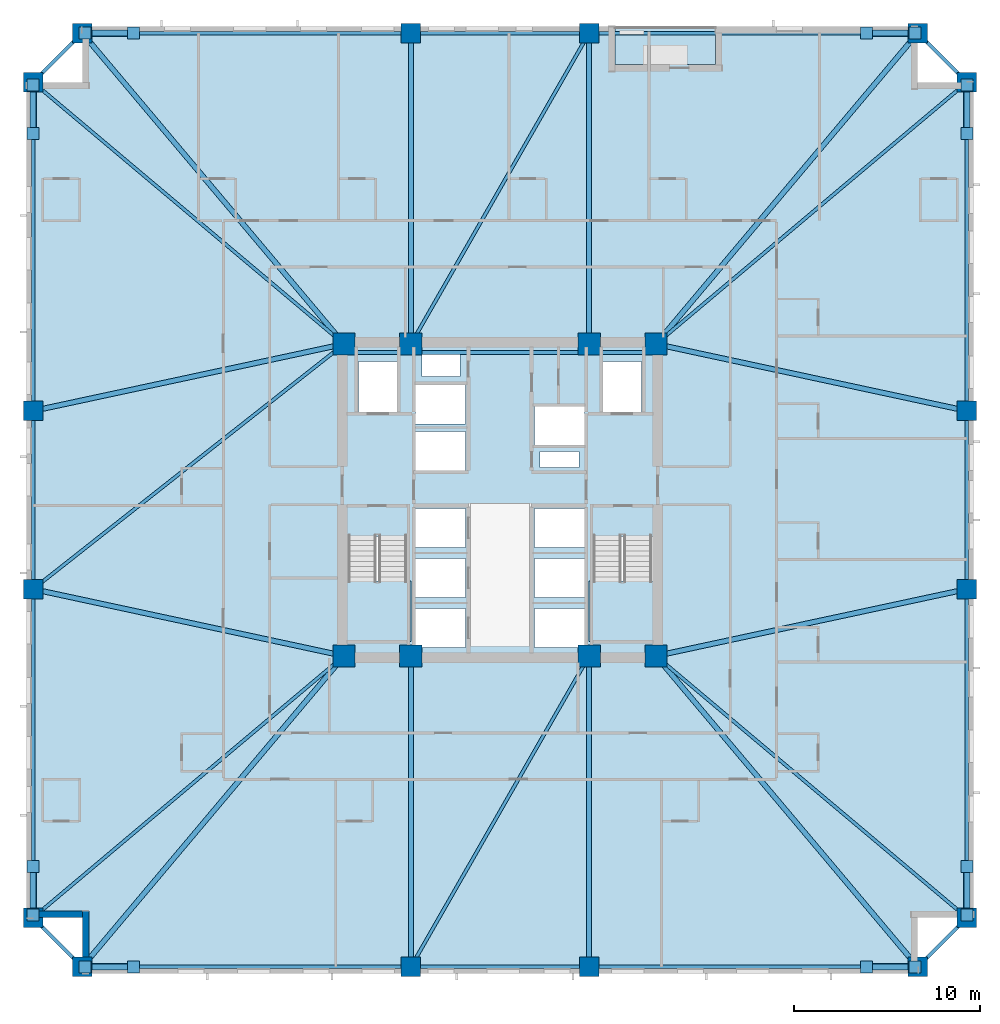
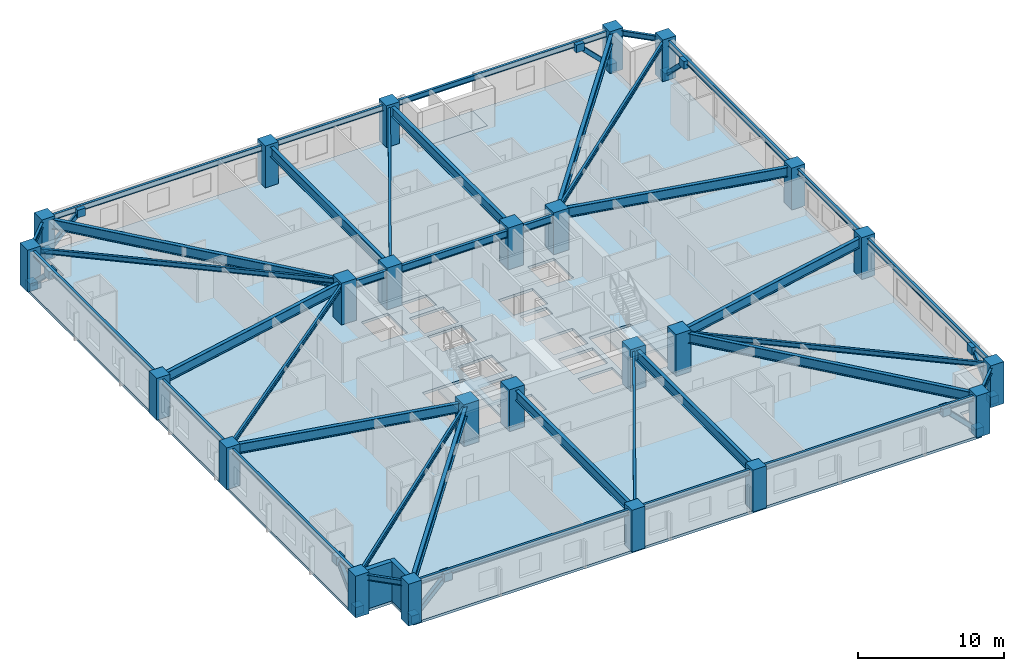
# One storey, part 1 of 12: 38 beams, 24 columns, 16 plates, 8 members, 4 slabs, 2 walls, 2 elements without a shape of their own.
"""IFC4 building model written with IfcOpenShell, lengths in metres."""

from ifc_helpers import new_model, si_unit, direction, frame, frame_2d, origin, origin_2d, place, context, subcontext, project, spatial, polyline, rectangle, hollow_rectangle, i_section, outline, extrude, material, layer, layer_set, material_profile, profile_set, type_object, element, aggregate, save


model = new_model("IFC4")

# Units and contexts
model_context = context("Model", 3, precision=1e-05, world=origin(), true_north=direction((0.0, 1.0)))
body_context = subcontext(model_context, "Body", "Model", "MODEL_VIEW")
ifc_project = project(units=[si_unit("LENGTHUNIT", "METRE"), si_unit("AREAUNIT", "SQUARE_METRE"), si_unit("VOLUMEUNIT", "CUBIC_METRE"), si_unit("PLANEANGLEUNIT", "RADIAN"), si_unit("MASSUNIT", "GRAM", prefix="KILO")], contexts=[model_context])

# Site, building, storey
site_placement = place(None, origin())
site = spatial("IfcSite", under=ifc_project, at=site_placement, CompositionType="ELEMENT")
building_placement = place(site_placement, origin())
building = spatial("IfcBuilding", under=site, at=building_placement, Name="Cairnveth Concourse Tower", CompositionType="ELEMENT")
storey_placement = place(building_placement, frame((0.0, 0.0, 90.0)))
storey = spatial("IfcBuildingStorey", under=building, at=storey_placement, Name="L24", CompositionType="ELEMENT", Elevation=90.0)

# Columns
ifc_material_1 = material(Name="Concrete N80 (80 MPa)", Category="concrete")
ifc_material_profile_1 = material_profile(ifc_material_1, rectangle(XDim=1.199951171875, YDim=1.199951171875, at=origin_2d()), Name="RC-COL-1200x1200")
ifc_profile_set_1 = profile_set([ifc_material_profile_1], Name="Concrete N80 (80 MPa)")
column_type_1 = type_object("IfcColumnType", Name="CORE COLUMN 1200X1200", PredefinedType="COLUMN", material=ifc_profile_set_1)
for number, where, z_axis, x_axis, name in (
    (1, (43.60009765625, 30.60009765625, 0.0), (0.0, 0.0, 1.0), (1.0, 0.0, 0.0), "Column CC1 L24"),
    (2, (47.199951171875, 30.60009765625, 0.0), (0.0, 0.0, 1.0), (1.0, 0.0, 0.0), "Column CC2 L24"),
    (3, (56.800048828125, 30.60009765625, 0.0), (0.0, 0.0, 1.0), (1.0, 0.0, 0.0), "Column CC3 L24"),
    (4, (60.39990234375, 30.60009765625, 0.0), (0.0, 0.0, 1.0), (1.0, 0.0, 0.0), "Column CC4 L24"),
    (5, (43.60009765625, 47.39990234375, 0.0), (0.0, 0.0, 1.0), (1.0, 0.0, 0.0), "Column CC5 L24"),
    (6, (47.199951171875, 47.39990234375, 0.0), (0.0, 0.0, 1.0), (1.0, 0.0, 0.0), "Column CC6 L24"),
    (7, (56.800048828125, 47.39990234375, 0.0), (0.0, 0.0, 1.0), (1.0, 0.0, 0.0), "Column CC7 L24"),
    (8, (60.39990234375, 47.39990234375, 0.0), (0.0, 0.0, 1.0), (1.0, 0.0, 0.0), "Column CC8 L24"),
):
    element("IfcColumn", number, at=place(storey_placement, frame(where, z_axis=z_axis, x_axis=x_axis)), inside=storey, type_object=column_type_1, Name=name, PredefinedType="COLUMN", context=body_context, shape_type="SweptSolid", body=[
        extrude(rectangle(XDim=1.199951171875, YDim=1.199951171875, at=origin_2d()), origin(), (0.0, 0.0, 1.0), 3.5),
    ])
ifc_material_2 = material(Name="Concrete N65 (65 MPa)", Category="concrete")
ifc_material_profile_2 = material_profile(ifc_material_2, rectangle(XDim=1.050048828125, YDim=1.050048828125, at=origin_2d()), Name="RC-COL-1050x1050")
ifc_profile_set_2 = profile_set([ifc_material_profile_2], Name="Concrete N65 (65 MPa)")
column_type_2 = type_object("IfcColumnType", Name="PERIMETER PIER COLUMN 1050X1050", PredefinedType="COLUMN", material=ifc_profile_set_2)
for number, where, z_axis, x_axis, name in (
    (9, (29.5, 13.85009765625, 0.0), (0.0, 0.0, 1.0), (1.0, 0.0, 0.0), "Column P-S1 L24"),
    (10, (47.199951171875, 13.85009765625, 0.0), (0.0, 0.0, 1.0), (1.0, 0.0, 0.0), "Column P-S2 L24"),
    (11, (56.800048828125, 13.85009765625, 0.0), (0.0, 0.0, 1.0), (1.0, 0.0, 0.0), "Column P-S3 L24"),
    (12, (74.5, 13.85009765625, 0.0), (0.0, 0.0, 1.0), (1.0, 0.0, 0.0), "Column P-S4 L24"),
    (13, (77.14990234375, 16.5, 0.0), (0.0, 0.0, 1.0), (0.0, 1.0, 0.0), "Column P-E1 L24"),
    (14, (77.14990234375, 34.199951171875, 0.0), (0.0, 0.0, 1.0), (0.0, 1.0, 0.0), "Column P-E2 L24"),
    (15, (77.14990234375, 43.800048828125, 0.0), (0.0, 0.0, 1.0), (0.0, 1.0, 0.0), "Column P-E3 L24"),
    (16, (77.14990234375, 61.5, 0.0), (0.0, 0.0, 1.0), (0.0, 1.0, 0.0), "Column P-E4 L24"),
    (17, (74.5, 64.14990234375, 0.0), (0.0, 0.0, 1.0), (1.0, 0.0, 0.0), "Column P-N1 L24"),
    (18, (56.800048828125, 64.14990234375, 0.0), (0.0, 0.0, 1.0), (1.0, 0.0, 0.0), "Column P-N2 L24"),
    (19, (47.199951171875, 64.14990234375, 0.0), (0.0, 0.0, 1.0), (1.0, 0.0, 0.0), "Column P-N3 L24"),
    (20, (29.5, 64.14990234375, 0.0), (0.0, 0.0, 1.0), (1.0, 0.0, 0.0), "Column P-N4 L24"),
    (21, (26.85009765625, 61.5, 0.0), (0.0, 0.0, 1.0), (0.0, 1.0, 0.0), "Column P-W1 L24"),
    (22, (26.85009765625, 43.800048828125, 0.0), (0.0, 0.0, 1.0), (0.0, 1.0, 0.0), "Column P-W2 L24"),
    (23, (26.85009765625, 34.199951171875, 0.0), (0.0, 0.0, 1.0), (0.0, 1.0, 0.0), "Column P-W3 L24"),
    (24, (26.85009765625, 16.5, 0.0), (0.0, 0.0, 1.0), (0.0, 1.0, 0.0), "Column P-W4 L24"),
):
    element("IfcColumn", number, at=place(storey_placement, frame(where, z_axis=z_axis, x_axis=x_axis)), inside=storey, type_object=column_type_2, Name=name, PredefinedType="COLUMN", context=body_context, shape_type="SweptSolid", body=[
        extrude(rectangle(XDim=1.050048828125, YDim=1.050048828125, at=origin_2d()), origin(), (0.0, 0.0, 1.0), 3.5),
    ])

# Beams
ifc_material_3 = material(Name="Steel Grade 350", Category="steel")
ifc_material_profile_3 = material_profile(ifc_material_3, i_section(OverallWidth=0.22802734375, OverallDepth=0.60693359375, WebThickness=0.01123046875, FlangeThickness=0.017333984375, FilletRadius=0.013916015625, at=origin_2d()), Name="610UB113")
ifc_profile_set_3 = profile_set([ifc_material_profile_3], Name="Steel Grade 350")
beam_type_1 = type_object("IfcBeamType", Name="CORE TIE BEAM 610UB113", PredefinedType="T_BEAM", material=ifc_profile_set_3)
for number, where, z_axis, x_axis, name in (
    (25, (43.60009765625, 46.949951171875, 2.9765625), (1.0, 0.0, 0.0), (0.0, 1.0, 0.0), "Beam CT-N1 L24"),
    (26, (56.800048828125, 46.949951171875, 2.9765625), (1.0, 0.0, 0.0), (0.0, 1.0, 0.0), "Beam CT-N3 L24"),
):
    element("IfcBeam", number, at=place(storey_placement, frame(where, z_axis=z_axis, x_axis=x_axis)), inside=storey, type_object=beam_type_1, Name=name, PredefinedType="T_BEAM", context=body_context, shape_type="SweptSolid", body=[
        extrude(i_section(OverallWidth=0.22802734375, OverallDepth=0.60693359375, WebThickness=0.01123046875, FlangeThickness=0.017333984375, FilletRadius=0.013916015625, at=origin_2d()), origin(), (0.0, 0.0, 1.0), 3.599853515625),
    ])
beam_1_placement = place(storey_placement, frame((47.199951171875, 46.949951171875, 2.9765625), z_axis=(1.0, 0.0, 0.0), x_axis=(0.0, 1.0, 0.0)))
element("IfcBeam", 27, at=beam_1_placement, inside=storey, type_object=beam_type_1, Name="Beam CT-N2 L24", PredefinedType="T_BEAM", context=body_context, shape_type="SweptSolid", body=[
    extrude(i_section(OverallWidth=0.22802734375, OverallDepth=0.60693359375, WebThickness=0.01123046875, FlangeThickness=0.017333984375, FilletRadius=0.013916015625, at=origin_2d()), origin(), (0.0, 0.0, 1.0), 9.60009765625),
])
ifc_material_profile_4 = material_profile(ifc_material_3, i_section(OverallWidth=0.177978515625, OverallDepth=0.406005859375, WebThickness=0.0078125, FlangeThickness=0.0126953125, FilletRadius=0.010986328125, at=origin_2d()), Name="410UB59.7")
ifc_profile_set_4 = profile_set([ifc_material_profile_4], Name="Steel Grade 350")
beam_type_2 = type_object("IfcBeamType", Name="ZONE 1 FLOOR JOIST 410UB59.7", PredefinedType="JOIST", material=ifc_profile_set_4)
for number, where, z_axis, x_axis, name in (
    (28, (26.85009765625, 16.5, 3.076904296875), (0.765027427674, 0.643997697905, 0.0), (-0.643997697905, 0.765027427674, 0.0), "Beam FJ-CSW2 L24"),
    (29, (77.14990234375, 16.5, 3.076904296875), (-0.765027427674, 0.643997697905, 0.0), (-0.643997697905, -0.765027427674, 0.0), "Beam FJ-CSE2 L24"),
    (30, (77.14990234375, 61.5, 3.076904296875), (-0.765027427674, -0.643997697905, 0.0), (0.643997697905, -0.765027427674, 0.0), "Beam FJ-CNE2 L24"),
    (31, (26.85009765625, 61.5, 3.076904296875), (0.765027427674, -0.643997697905, 0.0), (0.643997697905, 0.765027427674, 0.0), "Beam FJ-CNW2 L24"),
):
    element("IfcBeam", number, at=place(storey_placement, frame(where, z_axis=z_axis, x_axis=x_axis)), inside=storey, type_object=beam_type_2, Name=name, PredefinedType="JOIST", context=body_context, shape_type="SweptSolid", body=[
        extrude(i_section(OverallWidth=0.177978515625, OverallDepth=0.406005859375, WebThickness=0.0078125, FlangeThickness=0.0126953125, FilletRadius=0.010986328125, at=origin_2d()), origin(), (0.0, 0.0, 1.0), 21.89453125),
    ])
for number, where, z_axis, x_axis, name in (
    (32, (47.199951171875, 13.85009765625, 3.076904296875), (0.497257970706, 0.86760273776, 0.0), (-0.86760273776, 0.497257970706, 0.0), "Beam FJ-S-M1 L24"),
    (33, (47.199951171875, 47.39990234375, 3.076904296875), (0.497257970706, 0.86760273776, 0.0), (-0.86760273776, 0.497257970706, 0.0), "Beam FJ-N-M1 L24"),
):
    element("IfcBeam", number, at=place(storey_placement, frame(where, z_axis=z_axis, x_axis=x_axis)), inside=storey, type_object=beam_type_2, Name=name, PredefinedType="JOIST", context=body_context, shape_type="SweptSolid", body=[
        extrude(i_section(OverallWidth=0.177978515625, OverallDepth=0.406005859375, WebThickness=0.0078125, FlangeThickness=0.0126953125, FilletRadius=0.010986328125, at=origin_2d()), origin(), (0.0, 0.0, 1.0), 19.30615234375),
    ])
beam_2_placement = place(storey_placement, frame((26.85009765625, 34.199951171875, 3.076904296875), z_axis=(0.785423705995, 0.618958481694, 0.0), x_axis=(-0.618958481694, 0.785423705995, 0.0)))
element("IfcBeam", 34, at=beam_2_placement, inside=storey, type_object=beam_type_2, Name="Beam FJ-W-M1 L24", PredefinedType="JOIST", context=body_context, shape_type="SweptSolid", body=[
    extrude(i_section(OverallWidth=0.177978515625, OverallDepth=0.406005859375, WebThickness=0.0078125, FlangeThickness=0.0126953125, FilletRadius=0.010986328125, at=origin_2d()), origin(), (0.0, 0.0, 1.0), 21.326171875),
])

# Members
ifc_material_4 = material(Name="Steel C350L0 (350 MPa)", Category="steel")
ifc_material_profile_5 = material_profile(ifc_material_4, hollow_rectangle(XDim=0.35009765625, YDim=0.35009765625, WallThickness=0.01611328125, InnerFilletRadius=0.01611328125, OuterFilletRadius=0.031982421875, at=origin_2d()), Name="350x350x16.0SHS")
ifc_profile_set_5 = profile_set([ifc_material_profile_5], Name="Steel C350L0 (350 MPa)")
member_type = type_object("IfcMemberType", Name="ZONE 1 PIER BRACE 350X350X16SHS", PredefinedType="BRACE", material=ifc_profile_set_5)
for number, where, z_axis, x_axis, name in (
    (35, (29.64990234375, 13.85009765625, 0.25), (0.709834195787, 0.0, 0.704368805735), (0.0, 1.0, 0.0), "Structural Brace PB-S1 L24"),
    (36, (74.35009765625, 13.85009765625, 0.25), (-0.709834195787, 0.0, 0.704368805735), (0.0, -1.0, 0.0), "Structural Brace PB-S2 L24"),
    (37, (29.64990234375, 64.14990234375, 0.25), (0.709834195787, 0.0, 0.704368805735), (0.0, 1.0, 0.0), "Structural Brace PB-N1 L24"),
    (38, (74.35009765625, 64.14990234375, 0.25), (-0.709834195787, 0.0, 0.704368805735), (0.0, -1.0, 0.0), "Structural Brace PB-N2 L24"),
    (39, (26.85009765625, 16.64990234375, 0.25), (0.0, 0.709834195787, 0.704368805735), (-1.0, 0.0, 0.0), "Structural Brace PB-W1 L24"),
    (40, (26.85009765625, 61.35009765625, 0.25), (0.0, -0.709834195787, 0.704368805735), (1.0, 0.0, 0.0), "Structural Brace PB-W2 L24"),
    (41, (77.14990234375, 16.64990234375, 0.25), (0.0, 0.709834195787, 0.704368805735), (-1.0, 0.0, 0.0), "Structural Brace PB-E1 L24"),
    (42, (77.14990234375, 61.35009765625, 0.25), (0.0, -0.709834195787, 0.704368805735), (1.0, 0.0, 0.0), "Structural Brace PB-E2 L24"),
):
    element("IfcMember", number, at=place(storey_placement, frame(where, z_axis=z_axis, x_axis=x_axis)), inside=storey, type_object=member_type, Name=name, PredefinedType="BRACE", context=body_context, shape_type="SweptSolid", body=[
        extrude(hollow_rectangle(XDim=0.35009765625, YDim=0.35009765625, WallThickness=0.01611328125, InnerFilletRadius=0.01611328125, OuterFilletRadius=0.031982421875, at=origin_2d()), origin(), (0.0, 0.0, 1.0), 3.6630859375),
    ])

# Beams
ifc_material_profile_6 = material_profile(ifc_material_3, i_section(OverallWidth=0.27490234375, OverallDepth=0.81591796875, WebThickness=0.011962890625, FlangeThickness=0.028076171875, at=origin_2d()), Name="800WB192")
ifc_profile_set_6 = profile_set([ifc_material_profile_6], Name="Steel Grade 350")
beam_type_3 = type_object("IfcBeamType", Name="ZONE 1 RADIAL GIRDER 800WB192", PredefinedType="BEAM", material=ifc_profile_set_6)
for number, where, z_axis, x_axis, name in (
    (43, (47.199951171875, 13.85009765625, 2.8720703125), (0.0, 1.0, 0.0), (-1.0, 0.0, 0.0), "Beam RG-S1 L24"),
    (44, (56.800048828125, 13.85009765625, 2.8720703125), (0.0, 1.0, 0.0), (-1.0, 0.0, 0.0), "Beam RG-S2 L24"),
    (45, (47.199951171875, 47.39990234375, 2.8720703125), (0.0, 1.0, 0.0), (-1.0, 0.0, 0.0), "Beam RG-N1 L24"),
    (46, (56.800048828125, 47.39990234375, 2.8720703125), (0.0, 1.0, 0.0), (-1.0, 0.0, 0.0), "Beam RG-N2 L24"),
):
    element("IfcBeam", number, at=place(storey_placement, frame(where, z_axis=z_axis, x_axis=x_axis)), inside=storey, type_object=beam_type_3, Name=name, PredefinedType="BEAM", context=body_context, shape_type="SweptSolid", body=[
        extrude(i_section(OverallWidth=0.27490234375, OverallDepth=0.81591796875, WebThickness=0.011962890625, FlangeThickness=0.028076171875, at=origin_2d()), origin(), (0.0, 0.0, 1.0), 16.75),
    ])
for number, where, z_axis, x_axis, name in (
    (47, (26.85009765625, 34.199951171875, 2.8720703125), (0.977675861524, -0.210118799239, 0.0), (0.210118799239, 0.977675861524, 0.0), "Beam RG-W1 L24"),
    (48, (26.85009765625, 43.800048828125, 2.8720703125), (0.977675861524, 0.210118799239, 0.0), (-0.210118799239, 0.977675861524, 0.0), "Beam RG-W2 L24"),
    (49, (60.39990234375, 30.60009765625, 2.8720703125), (0.977675861524, 0.210118799239, 0.0), (-0.210118799239, 0.977675861524, 0.0), "Beam RG-E1 L24"),
    (50, (60.39990234375, 47.39990234375, 2.8720703125), (0.977675861524, -0.210118799239, 0.0), (0.210118799239, 0.977675861524, 0.0), "Beam RG-E2 L24"),
):
    element("IfcBeam", number, at=place(storey_placement, frame(where, z_axis=z_axis, x_axis=x_axis)), inside=storey, type_object=beam_type_3, Name=name, PredefinedType="BEAM", context=body_context, shape_type="SweptSolid", body=[
        extrude(i_section(OverallWidth=0.27490234375, OverallDepth=0.81591796875, WebThickness=0.011962890625, FlangeThickness=0.028076171875, at=origin_2d()), origin(), (0.0, 0.0, 1.0), 17.132568359375),
    ])
for number, where, z_axis, x_axis, name in (
    (51, (29.5, 13.85009765625, 2.8720703125), (0.643997697905, 0.765027427674, 0.0), (-0.765027427674, 0.643997697905, 0.0), "Beam RG-CSW L24"),
    (52, (74.5, 13.85009765625, 2.8720703125), (-0.643997697905, 0.765027427674, 0.0), (-0.765027427674, -0.643997697905, 0.0), "Beam RG-CSE L24"),
    (53, (74.5, 64.14990234375, 2.8720703125), (-0.643997697905, -0.765027427674, 0.0), (0.765027427674, -0.643997697905, 0.0), "Beam RG-CNE L24"),
    (54, (29.5, 64.14990234375, 2.8720703125), (0.643997697905, -0.765027427674, 0.0), (0.765027427674, 0.643997697905, 0.0), "Beam RG-CNW L24"),
):
    element("IfcBeam", number, at=place(storey_placement, frame(where, z_axis=z_axis, x_axis=x_axis)), inside=storey, type_object=beam_type_3, Name=name, PredefinedType="BEAM", context=body_context, shape_type="SweptSolid", body=[
        extrude(i_section(OverallWidth=0.27490234375, OverallDepth=0.81591796875, WebThickness=0.011962890625, FlangeThickness=0.028076171875, at=origin_2d()), origin(), (0.0, 0.0, 1.0), 21.89453125),
    ])
ifc_material_profile_7 = material_profile(ifc_material_3, i_section(OverallWidth=0.19091796875, OverallDepth=0.4599609375, WebThickness=0.010009765625, FlangeThickness=0.01611328125, FilletRadius=0.010986328125, at=origin_2d()), Name="460UB82.1")
ifc_profile_set_7 = profile_set([ifc_material_profile_7], Name="Steel Grade 350")
beam_type_4 = type_object("IfcBeamType", Name="ZONE 1 SPANDREL BEAM 460UB82.1", PredefinedType="SPANDREL", material=ifc_profile_set_7)
beam_3_placement = place(storey_placement, frame((29.5, 13.85009765625, 3.050048828125), z_axis=(1.0, 0.0, 0.0), x_axis=(0.0, 1.0, 0.0)))
element("IfcBeam", 55, at=beam_3_placement, inside=storey, type_object=beam_type_4, Name="Beam SP-S1 L24", PredefinedType="SPANDREL", context=body_context, shape_type="SweptSolid", body=[
    extrude(i_section(OverallWidth=0.19091796875, OverallDepth=0.4599609375, WebThickness=0.010009765625, FlangeThickness=0.01611328125, FilletRadius=0.010986328125, at=origin_2d()), origin(), (0.0, 0.0, 1.0), 17.699951171875),
])
beam_4_placement = place(storey_placement, frame((47.199951171875, 13.85009765625, 3.050048828125), z_axis=(1.0, 0.0, 0.0), x_axis=(0.0, 1.0, 0.0)))
element("IfcBeam", 56, at=beam_4_placement, inside=storey, type_object=beam_type_4, Name="Beam SP-S2 L24", PredefinedType="SPANDREL", context=body_context, shape_type="SweptSolid", body=[
    extrude(i_section(OverallWidth=0.19091796875, OverallDepth=0.4599609375, WebThickness=0.010009765625, FlangeThickness=0.01611328125, FilletRadius=0.010986328125, at=origin_2d()), origin(), (0.0, 0.0, 1.0), 9.60009765625),
])
for number, where, z_axis, x_axis, name in (
    (57, (56.800048828125, 13.85009765625, 3.050048828125), (1.0, 0.0, 0.0), (0.0, 1.0, 0.0), "Beam SP-S3 L24"),
    (58, (29.5, 64.14990234375, 3.050048828125), (1.0, 0.0, 0.0), (0.0, 1.0, 0.0), "Beam SP-N1 L24"),
):
    element("IfcBeam", number, at=place(storey_placement, frame(where, z_axis=z_axis, x_axis=x_axis)), inside=storey, type_object=beam_type_4, Name=name, PredefinedType="SPANDREL", context=body_context, shape_type="SweptSolid", body=[
        extrude(i_section(OverallWidth=0.19091796875, OverallDepth=0.4599609375, WebThickness=0.010009765625, FlangeThickness=0.01611328125, FilletRadius=0.010986328125, at=origin_2d()), origin(), (0.0, 0.0, 1.0), 17.699951171875),
    ])
beam_5_placement = place(storey_placement, frame((47.199951171875, 64.14990234375, 3.050048828125), z_axis=(1.0, 0.0, 0.0), x_axis=(0.0, 1.0, 0.0)))
element("IfcBeam", 59, at=beam_5_placement, inside=storey, type_object=beam_type_4, Name="Beam SP-N2 L24", PredefinedType="SPANDREL", context=body_context, shape_type="SweptSolid", body=[
    extrude(i_section(OverallWidth=0.19091796875, OverallDepth=0.4599609375, WebThickness=0.010009765625, FlangeThickness=0.01611328125, FilletRadius=0.010986328125, at=origin_2d()), origin(), (0.0, 0.0, 1.0), 9.60009765625),
])
for number, where, z_axis, x_axis, name in (
    (60, (56.800048828125, 64.14990234375, 3.050048828125), (1.0, 0.0, 0.0), (0.0, 1.0, 0.0), "Beam SP-N3 L24"),
    (61, (26.85009765625, 16.5, 3.050048828125), (0.0, 1.0, 0.0), (-1.0, 0.0, 0.0), "Beam SP-W1 L24"),
):
    element("IfcBeam", number, at=place(storey_placement, frame(where, z_axis=z_axis, x_axis=x_axis)), inside=storey, type_object=beam_type_4, Name=name, PredefinedType="SPANDREL", context=body_context, shape_type="SweptSolid", body=[
        extrude(i_section(OverallWidth=0.19091796875, OverallDepth=0.4599609375, WebThickness=0.010009765625, FlangeThickness=0.01611328125, FilletRadius=0.010986328125, at=origin_2d()), origin(), (0.0, 0.0, 1.0), 17.699951171875),
    ])
beam_6_placement = place(storey_placement, frame((26.85009765625, 34.199951171875, 3.050048828125), z_axis=(0.0, 1.0, 0.0), x_axis=(-1.0, 0.0, 0.0)))
element("IfcBeam", 62, at=beam_6_placement, inside=storey, type_object=beam_type_4, Name="Beam SP-W2 L24", PredefinedType="SPANDREL", context=body_context, shape_type="SweptSolid", body=[
    extrude(i_section(OverallWidth=0.19091796875, OverallDepth=0.4599609375, WebThickness=0.010009765625, FlangeThickness=0.01611328125, FilletRadius=0.010986328125, at=origin_2d()), origin(), (0.0, 0.0, 1.0), 9.60009765625),
])
for number, where, z_axis, x_axis, name in (
    (63, (26.85009765625, 43.800048828125, 3.050048828125), (0.0, 1.0, 0.0), (-1.0, 0.0, 0.0), "Beam SP-W3 L24"),
    (64, (77.14990234375, 16.5, 3.050048828125), (0.0, 1.0, 0.0), (-1.0, 0.0, 0.0), "Beam SP-E1 L24"),
):
    element("IfcBeam", number, at=place(storey_placement, frame(where, z_axis=z_axis, x_axis=x_axis)), inside=storey, type_object=beam_type_4, Name=name, PredefinedType="SPANDREL", context=body_context, shape_type="SweptSolid", body=[
        extrude(i_section(OverallWidth=0.19091796875, OverallDepth=0.4599609375, WebThickness=0.010009765625, FlangeThickness=0.01611328125, FilletRadius=0.010986328125, at=origin_2d()), origin(), (0.0, 0.0, 1.0), 17.699951171875),
    ])
beam_7_placement = place(storey_placement, frame((77.14990234375, 34.199951171875, 3.050048828125), z_axis=(0.0, 1.0, 0.0), x_axis=(-1.0, 0.0, 0.0)))
element("IfcBeam", 65, at=beam_7_placement, inside=storey, type_object=beam_type_4, Name="Beam SP-E2 L24", PredefinedType="SPANDREL", context=body_context, shape_type="SweptSolid", body=[
    extrude(i_section(OverallWidth=0.19091796875, OverallDepth=0.4599609375, WebThickness=0.010009765625, FlangeThickness=0.01611328125, FilletRadius=0.010986328125, at=origin_2d()), origin(), (0.0, 0.0, 1.0), 9.60009765625),
])
beam_8_placement = place(storey_placement, frame((77.14990234375, 43.800048828125, 3.050048828125), z_axis=(0.0, 1.0, 0.0), x_axis=(-1.0, 0.0, 0.0)))
element("IfcBeam", 66, at=beam_8_placement, inside=storey, type_object=beam_type_4, Name="Beam SP-E3 L24", PredefinedType="SPANDREL", context=body_context, shape_type="SweptSolid", body=[
    extrude(i_section(OverallWidth=0.19091796875, OverallDepth=0.4599609375, WebThickness=0.010009765625, FlangeThickness=0.01611328125, FilletRadius=0.010986328125, at=origin_2d()), origin(), (0.0, 0.0, 1.0), 17.699951171875),
])
for number, where, z_axis, x_axis, name in (
    (67, (26.85009765625, 16.5, 3.050048828125), (0.707106781187, -0.707106781187, 0.0), (0.707106781187, 0.707106781187, 0.0), "Beam SP-SW L24"),
    (68, (74.5, 13.85009765625, 3.050048828125), (0.707106781187, 0.707106781187, 0.0), (-0.707106781187, 0.707106781187, 0.0), "Beam SP-SE L24"),
    (69, (74.5, 64.14990234375, 3.050048828125), (0.707106781187, -0.707106781187, 0.0), (0.707106781187, 0.707106781187, 0.0), "Beam SP-NE L24"),
    (70, (26.85009765625, 61.5, 3.050048828125), (0.707106781187, 0.707106781187, 0.0), (-0.707106781187, 0.707106781187, 0.0), "Beam SP-NW L24"),
):
    element("IfcBeam", number, at=place(storey_placement, frame(where, z_axis=z_axis, x_axis=x_axis)), inside=storey, type_object=beam_type_4, Name=name, PredefinedType="SPANDREL", context=body_context, shape_type="SweptSolid", body=[
        extrude(i_section(OverallWidth=0.19091796875, OverallDepth=0.4599609375, WebThickness=0.010009765625, FlangeThickness=0.01611328125, FilletRadius=0.010986328125, at=origin_2d()), origin(), (0.0, 0.0, 1.0), 3.74755859375),
    ])

# Slab
ifc_material_5 = material(Name="Concrete N50 (50 MPa)", Category="concrete")
ifc_layer_1 = layer(ifc_material_5, 0.219970703125)
ifc_layer_set_1 = layer_set([ifc_layer_1], Name="Concrete N50 (50 MPa)")
slab_type_1 = type_object("IfcSlabType", Name="LOWER TOWER COMPOSITE SLAB 220", PredefinedType="FLOOR", material=ifc_layer_set_1)
slab_1_placement = place(storey_placement, frame((0.0, 0.0, -0.219970703125)))
element("IfcSlab", 71, at=slab_1_placement, inside=storey, type_object=slab_type_1, Name="Tower Floor Slab L24", PredefinedType="FLOOR", context=body_context, shape_type="SweptSolid", body=[
    extrude(outline(polyline([(63.60009765625, 64.5), (63.60009765625, 62.449951171875), (58.199951171875, 62.449951171875), (58.199951171875, 64.5), (29.5, 64.5), (29.5, 61.5), (26.5, 61.5), (26.5, 16.5), (29.5, 16.5), (29.5, 13.5), (74.5, 13.5), (74.5, 16.5), (77.5, 16.5), (77.5, 61.5), (74.5, 61.5), (74.5, 64.5), (63.60009765625, 64.5)]), holes=[polyline([(43.760009765625, 31.360107421875), (47.06005859375, 31.360107421875), (47.06005859375, 37.0400390625), (43.760009765625, 37.0400390625), (43.760009765625, 31.360107421875)]), polyline([(56.93994140625, 31.360107421875), (60.239990234375, 31.360107421875), (60.239990234375, 37.0400390625), (56.93994140625, 37.0400390625), (56.93994140625, 31.360107421875)]), polyline([(44.3701171875, 43.75), (46.469970703125, 43.75), (46.469970703125, 46.449951171875), (44.3701171875, 46.449951171875), (44.3701171875, 43.75)]), polyline([(57.530029296875, 43.75), (59.6298828125, 43.75), (59.6298828125, 46.449951171875), (57.530029296875, 46.449951171875), (57.530029296875, 43.75)]), polyline([(47.449951171875, 31.050048828125), (50.14990234375, 31.050048828125), (50.14990234375, 33.14990234375), (47.449951171875, 33.14990234375), (47.449951171875, 31.050048828125)]), polyline([(47.449951171875, 33.75), (50.14990234375, 33.75), (50.14990234375, 35.85009765625), (47.449951171875, 35.85009765625), (47.449951171875, 33.75)]), polyline([(47.449951171875, 36.449951171875), (50.14990234375, 36.449951171875), (50.14990234375, 38.550048828125), (47.449951171875, 38.550048828125), (47.449951171875, 36.449951171875)]), polyline([(53.85009765625, 31.050048828125), (56.550048828125, 31.050048828125), (56.550048828125, 33.14990234375), (53.85009765625, 33.14990234375), (53.85009765625, 31.050048828125)]), polyline([(53.85009765625, 33.75), (56.550048828125, 33.75), (56.550048828125, 35.85009765625), (53.85009765625, 35.85009765625), (53.85009765625, 33.75)]), polyline([(53.85009765625, 36.449951171875), (56.550048828125, 36.449951171875), (56.550048828125, 38.550048828125), (53.85009765625, 38.550048828125), (53.85009765625, 36.449951171875)]), polyline([(47.449951171875, 40.60009765625), (50.14990234375, 40.60009765625), (50.14990234375, 42.699951171875), (47.449951171875, 42.699951171875), (47.449951171875, 40.60009765625)]), polyline([(47.449951171875, 43.10009765625), (50.14990234375, 43.10009765625), (50.14990234375, 45.199951171875), (47.449951171875, 45.199951171875), (47.449951171875, 43.10009765625)]), polyline([(53.85009765625, 41.949951171875), (56.550048828125, 41.949951171875), (56.550048828125, 44.050048828125), (53.85009765625, 44.050048828125), (53.85009765625, 41.949951171875)]), polyline([(47.800048828125, 45.64990234375), (49.85009765625, 45.64990234375), (49.85009765625, 47.050048828125), (47.800048828125, 47.050048828125), (47.800048828125, 45.64990234375)]), polyline([(54.14990234375, 40.75), (56.25, 40.75), (56.25, 41.6201171875), (54.14990234375, 41.6201171875), (54.14990234375, 40.75)])]), origin(), (0.0, 0.0, 1.0), 0.219970703125),
])

# Plates
ifc_layer_2 = layer(ifc_material_3, 0.031982421875)
ifc_layer_set_2 = layer_set([ifc_layer_2], Name="Steel Grade 350")
plate_type = type_object("IfcPlateType", Name="PERIMETER BRACE GUSSET PLATE 32", PredefinedType="USERDEFINED", material=ifc_layer_set_2)
for number, where, z_axis, x_axis, name in (
    (72, (29.64990234375, 13.85009765625, -0.06982421875), (0.0, 0.0, 1.0), (1.0, 0.0, 0.0), "Structural Node Plate 0365 L24"),
    (73, (32.25, 13.85009765625, 2.51025390625), (0.0, 0.0, 1.0), (1.0, 0.0, 0.0), "Structural Node Plate 0366 L24"),
    (74, (74.35009765625, 13.85009765625, -0.06982421875), (0.0, 0.0, 1.0), (1.0, 0.0, 0.0), "Structural Node Plate 0367 L24"),
    (75, (71.75, 13.85009765625, 2.51025390625), (0.0, 0.0, 1.0), (1.0, 0.0, 0.0), "Structural Node Plate 0368 L24"),
    (76, (29.64990234375, 64.14990234375, -0.06982421875), (0.0, 0.0, 1.0), (1.0, 0.0, 0.0), "Structural Node Plate 0369 L24"),
    (77, (32.25, 64.14990234375, 2.51025390625), (0.0, 0.0, 1.0), (1.0, 0.0, 0.0), "Structural Node Plate 0370 L24"),
    (78, (74.35009765625, 64.14990234375, -0.06982421875), (0.0, 0.0, 1.0), (1.0, 0.0, 0.0), "Structural Node Plate 0371 L24"),
    (79, (71.75, 64.14990234375, 2.51025390625), (0.0, 0.0, 1.0), (1.0, 0.0, 0.0), "Structural Node Plate 0372 L24"),
    (80, (26.85009765625, 16.64990234375, -0.06982421875), (0.0, 0.0, 1.0), (1.0, 0.0, 0.0), "Structural Node Plate 0373 L24"),
    (81, (26.85009765625, 19.25, 2.51025390625), (0.0, 0.0, 1.0), (1.0, 0.0, 0.0), "Structural Node Plate 0374 L24"),
    (82, (26.85009765625, 61.35009765625, -0.06982421875), (0.0, 0.0, 1.0), (1.0, 0.0, 0.0), "Structural Node Plate 0375 L24"),
    (83, (26.85009765625, 58.75, 2.51025390625), (0.0, 0.0, 1.0), (1.0, 0.0, 0.0), "Structural Node Plate 0376 L24"),
    (84, (77.14990234375, 16.64990234375, -0.06982421875), (0.0, 0.0, 1.0), (1.0, 0.0, 0.0), "Structural Node Plate 0377 L24"),
    (85, (77.14990234375, 19.25, 2.51025390625), (0.0, 0.0, 1.0), (1.0, 0.0, 0.0), "Structural Node Plate 0378 L24"),
    (86, (77.14990234375, 61.35009765625, -0.06982421875), (0.0, 0.0, 1.0), (1.0, 0.0, 0.0), "Structural Node Plate 0379 L24"),
    (87, (77.14990234375, 58.75, 2.51025390625), (0.0, 0.0, 1.0), (1.0, 0.0, 0.0), "Structural Node Plate 0380 L24"),
):
    element("IfcPlate", number, at=place(storey_placement, frame(where, z_axis=z_axis, x_axis=x_axis)), inside=storey, type_object=plate_type, Name=name, ObjectType="GUSSET PLATE", PredefinedType="USERDEFINED", context=body_context, shape_type="SweptSolid", body=[
        extrude(rectangle(XDim=0.639892578125, YDim=0.639892578125, at=origin_2d()), origin(), (0.0, 0.0, 1.0), 0.639892578125),
    ])

# Slab
ifc_layer_3 = layer(ifc_material_5, 0.18994140625)
ifc_layer_set_3 = layer_set([ifc_layer_3], Name="Concrete N50 (50 MPa)")
slab_type_2 = type_object("IfcSlabType", Name="SPIRAL OUTDOOR TERRACE SLAB 190", PredefinedType="FLOOR", material=ifc_layer_set_3)
slab_2_placement = place(storey_placement, frame((0.0, 0.0, -0.18994140625)))
element("IfcSlab", 88, at=slab_2_placement, inside=storey, type_object=slab_type_2, Name="Spiral Terrace Slab L24", PredefinedType="FLOOR", context=body_context, shape_type="SweptSolid", body=[
    extrude(outline(polyline([(58.199951171875, 62.449951171875), (63.60009765625, 62.449951171875), (63.60009765625, 64.5), (58.199951171875, 64.5), (58.199951171875, 62.449951171875)])), origin(), (0.0, 0.0, 1.0), 0.18994140625),
])

# Stair, slab
ifc_material_6 = material(Name="Precast concrete N50 (50 MPa)", Category="concrete")
stair_type = type_object("IfcStairType", Name="CORE DOG-LEG FIRE STAIR 1500", PredefinedType="HALF_TURN_STAIR", material=ifc_material_6)
stair_1_placement = place(storey_placement, origin())
stair_1 = element("IfcStair", 89, at=stair_1_placement, inside=storey, type_object=stair_type, Name="L24 Fire-Isolated Stair ST-1", PredefinedType="HALF_TURN_STAIR")
ifc_layer_4 = layer(ifc_material_5, 0.199951171875)
ifc_layer_set_4 = layer_set([ifc_layer_4], Name="Concrete N50 (50 MPa)")
slab_type_3 = type_object("IfcSlabType", Name="STAIR HALF LANDING SLAB 200", PredefinedType="LANDING", material=ifc_layer_set_4)
slab_3_placement = place(storey_placement, frame((0.0, 0.0, 1.550048828125)))
slab_3 = element("IfcSlab", 90, at=slab_3_placement, type_object=slab_type_3, Name="ST-1 landing 1", PredefinedType="LANDING", context=body_context, shape_type="SweptSolid", body=[
    extrude(outline(polyline([(43.6201171875, 34.639892578125), (43.6201171875, 31.3701171875), (47.199951171875, 31.3701171875), (47.199951171875, 34.639892578125), (43.6201171875, 34.639892578125)])), origin(), (0.0, 0.0, 1.0), 0.199951171875),
])
aggregate(stair_1, [slab_3])

stair_2_placement = place(storey_placement, origin())
stair_2 = element("IfcStair", 91, at=stair_2_placement, inside=storey, type_object=stair_type, Name="L24 Fire-Isolated Stair ST-2", PredefinedType="HALF_TURN_STAIR")
slab_4_placement = place(storey_placement, frame((0.0, 0.0, 1.550048828125)))
slab_4 = element("IfcSlab", 92, at=slab_4_placement, type_object=slab_type_3, Name="ST-2 landing 1", PredefinedType="LANDING", context=body_context, shape_type="SweptSolid", body=[
    extrude(outline(polyline([(56.800048828125, 34.639892578125), (56.800048828125, 31.3701171875), (60.3798828125, 31.3701171875), (60.3798828125, 34.639892578125), (56.800048828125, 34.639892578125)])), origin(), (0.0, 0.0, 1.0), 0.199951171875),
])
aggregate(stair_2, [slab_4])

# Walls
ifc_material_7 = material(Name="Hawthorn Red-Ochre Fired Clay Brick Masonry", Category="masonry")
ifc_layer_5 = layer(ifc_material_7, 0.360107421875)
ifc_layer_set_5 = layer_set([ifc_layer_5], Name="Hawthorn Red-Ochre Fired Clay Brick Masonry")
wall_type = type_object("IfcWallType", Name="ZONE 1 BRICK PIER SPANDREL WALL 360", PredefinedType="SOLIDWALL", material=ifc_layer_set_5)
wall_1_placement = place(storey_placement, frame((29.679931640625, 13.5, 0.0), z_axis=(0.0, 0.0, 1.0), x_axis=(0.0, 1.0, 0.0)))
element("IfcWall", 93, at=wall_1_placement, inside=storey, type_object=wall_type, Name="Exterior Wall EW-L24-S07", PredefinedType="SOLIDWALL", context=body_context, shape_type="SweptSolid", body=[
    extrude(rectangle(XDim=3.360107421875, YDim=0.360107421875, at=frame_2d((1.68017578125, 0.0))), origin(), (0.0, 0.0, 1.0), 3.280029296875),
])
wall_2_placement = place(storey_placement, frame((29.52197265625, 16.679931640625, 0.0), z_axis=(0.0, 0.0, 1.0), x_axis=(-1.0, 0.0, 0.0)))
element("IfcWall", 94, at=wall_2_placement, inside=storey, type_object=wall_type, Name="Exterior Wall EW-L24-S08", PredefinedType="SOLIDWALL", context=body_context, shape_type="SweptSolid", body=[
    extrude(rectangle(XDim=2.68408203125, YDim=0.360107421875, at=frame_2d((1.342041015625, 0.0))), origin(), (0.0, 0.0, 1.0), 3.280029296875),
])

save(model, "model.ifc")
